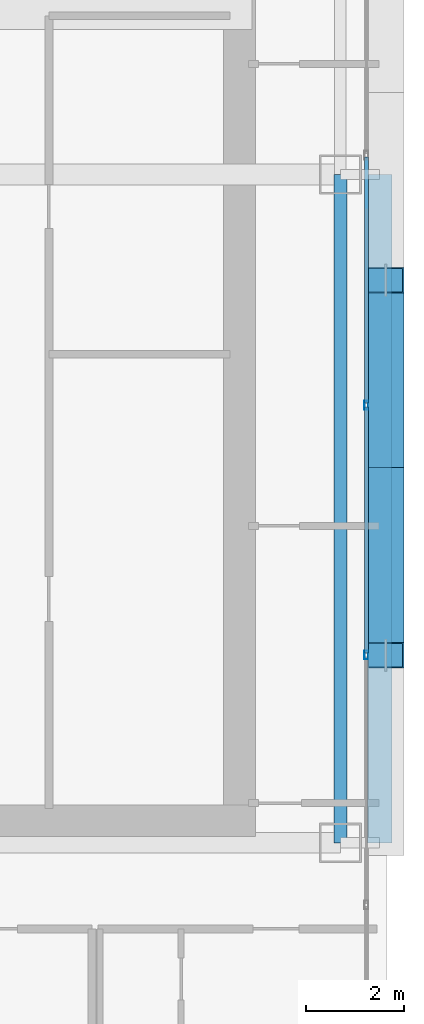
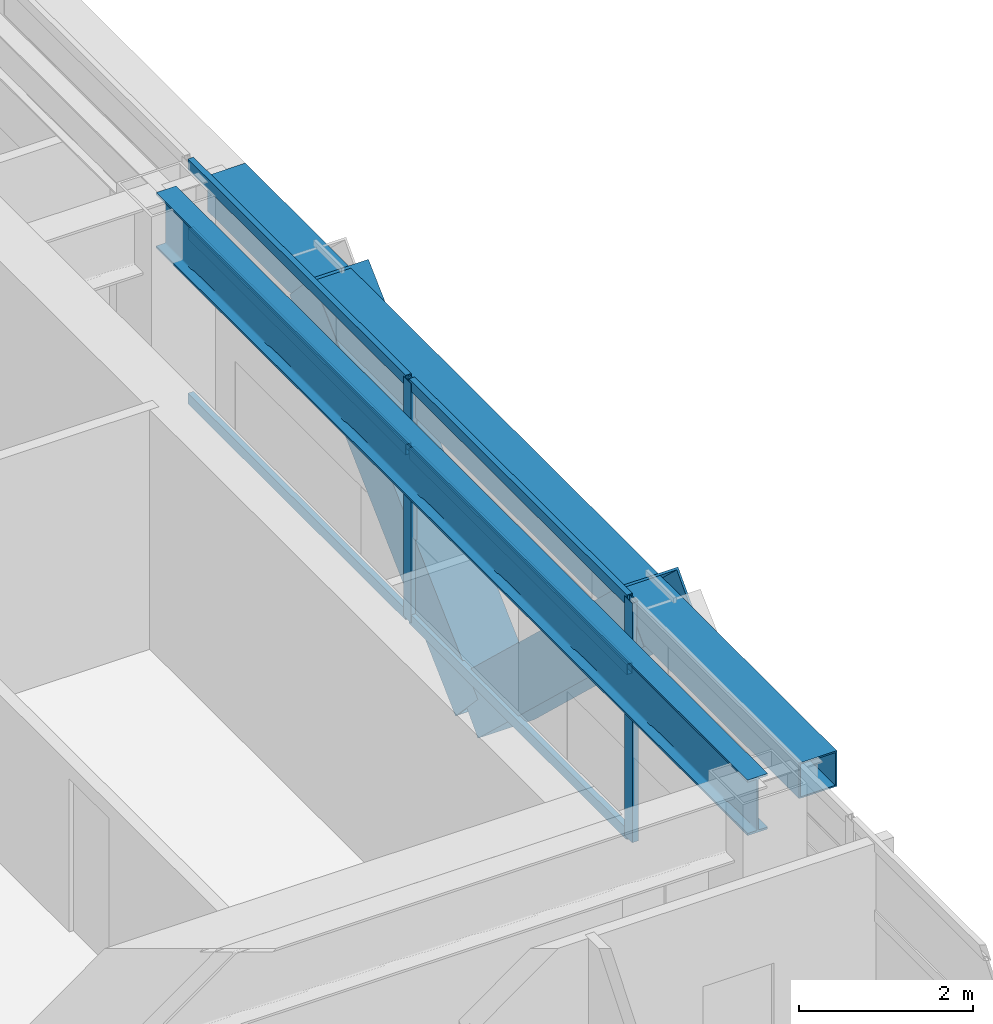
# One storey, part 16 of 39: 10 members, 2 beams, 1 element without a shape of its own.
"""IFC4 building model written with IfcOpenShell, lengths in metres."""

from ifc_helpers import new_model, si_unit, direction, frame, origin, origin_2d, place, context, subcontext, project, spatial, hollow_rectangle, i_section, extrude, source, transform, mapped, material, layer, layer_set, material_profile, profile_set, type_object, element, aggregate, save


model = new_model("IFC4")

# Units and contexts
model_context = context("Model", 3, precision=1e-05, world=origin(), true_north=direction((0.0, 1.0)))
body_context = subcontext(model_context, "Body", "Model", "MODEL_VIEW")
ifc_project = project(units=[si_unit("LENGTHUNIT", "METRE"), si_unit("AREAUNIT", "SQUARE_METRE"), si_unit("VOLUMEUNIT", "CUBIC_METRE"), si_unit("PLANEANGLEUNIT", "RADIAN"), si_unit("MASSUNIT", "GRAM", prefix="KILO")], contexts=[model_context])

# Site, building, storey
site_placement = place(None, origin())
site = spatial("IfcSite", under=ifc_project, at=site_placement, CompositionType="ELEMENT")
building_placement = place(site_placement, origin())
building = spatial("IfcBuilding", under=site, at=building_placement, Name="Ocotamira Hotel", CompositionType="ELEMENT")
storey_placement = place(building_placement, frame((0.0, 0.0, 126.0)))
storey = spatial("IfcBuildingStorey", under=building, at=storey_placement, Name="L31", CompositionType="ELEMENT", Elevation=126.0)

# Beams
ifc_material_1 = material(Name="Steel ASTM A992 Grade 50", Category="steel")
ifc_material_profile_1 = material_profile(ifc_material_1, i_section(OverallWidth=0.26611328125, OverallDepth=0.779052734375, WebThickness=0.0166015625, FlangeThickness=0.030029296875, FilletRadius=0.01806640625, at=origin_2d()), Name="W30X148")
ifc_profile_set_1 = profile_set([ifc_material_profile_1], Name="Steel ASTM A992 Grade 50")
beam_type_1 = type_object("IfcBeamType", Name="BM-GIRD-W30X148", PredefinedType="BEAM", material=ifc_profile_set_1)
shared_shape_1 = source(origin(), body_context, "Body", "SweptSolid", [
    extrude(i_section(OverallWidth=0.26611328125, OverallDepth=0.779052734375, WebThickness=0.0166015625, FlangeThickness=0.030029296875, FilletRadius=0.01806640625, at=origin_2d()), origin(), (0.0, 0.0, 1.0), 13.599853515625),
])
beam_1_placement = place(storey_placement, frame((55.050048828125, 14.550048828125, 2.970458984375), z_axis=(0.0, 1.0, 0.0), x_axis=(-1.0, 0.0, 0.0)))
element("IfcBeam", 1, at=beam_1_placement, inside=storey, type_object=beam_type_1, Name="L31 Beam X55.05 Y14.55-28.15", PredefinedType="BEAM", context=body_context, shape_type="MappedRepresentation", body=[
    mapped(shared_shape_1, transform((0.0, 0.0, 0.0), scale=1.0)),
])
ifc_material_2 = material(Name="Steel ASTM A500 Grade C", Category="steel")
ifc_material_profile_2 = material_profile(ifc_material_2, hollow_rectangle(XDim=0.5, YDim=0.5, WallThickness=0.02001953125, at=origin_2d()), Name="HSS500X500X20")
ifc_profile_set_2 = profile_set([ifc_material_profile_2], Name="Steel ASTM A500 Grade C")
beam_type_2 = type_object("IfcBeamType", Name="BM-SPAN-HSS500", PredefinedType="USERDEFINED", material=ifc_profile_set_2)
shared_shape_2 = source(origin(), body_context, "Body", "SweptSolid", [
    extrude(hollow_rectangle(XDim=0.5, YDim=0.5, WallThickness=0.02001953125, at=origin_2d()), origin(), (0.0, 0.0, 1.0), 13.599853515625),
])
beam_2_placement = place(storey_placement, frame((55.85009765625, 14.550048828125, 3.110107421875), z_axis=(0.0, 1.0, 0.0), x_axis=(-1.0, 0.0, 0.0)))
element("IfcBeam", 2, at=beam_2_placement, inside=storey, type_object=beam_type_2, Name="L31 Edge Spandrel E Y14.55-28.15", ObjectType="SPANDREL", PredefinedType="USERDEFINED", context=body_context, shape_type="MappedRepresentation", body=[
    mapped(shared_shape_2, transform((0.0, 0.0, 0.0), scale=1.0)),
])

# Members
ifc_material_3 = material(Name="Pale-metal coated steel ASTM A913 Grade 65", Category="steel")
ifc_material_profile_3 = material_profile(ifc_material_3, hollow_rectangle(XDim=0.75, YDim=0.75, WallThickness=0.028076171875, at=origin_2d()), Name="BOX750X750X28")
ifc_profile_set_3 = profile_set([ifc_material_profile_3], Name="Pale-metal coated steel ASTM A913 Grade 65")
member_type_1 = type_object("IfcMemberType", Name="MEM-EXO-BOX750", PredefinedType="BRACE", material=ifc_profile_set_3)
shared_shape_3 = source(origin(), body_context, "Body", "SweptSolid", [
    extrude(hollow_rectangle(XDim=0.75, YDim=0.75, WallThickness=0.028076171875, at=origin_2d()), origin(), (0.0, 0.0, 1.0), 5.24658203125),
])
for number, where, z_axis, x_axis, name in (
    (3, (55.969970703125, 22.183349609375, -0.489990234375), (0.0, -0.727442733726, 0.686168397078), (1.0, 0.0, 0.0), "L31 Exoskeleton Diagrid E0.2"),
    (4, (55.969970703125, 22.183349609375, -0.489990234375), (0.0, 0.727442733726, 0.686168397078), (-1.0, 0.0, 0.0), "L31 Exoskeleton Diagrid E1.1"),
):
    element("IfcMember", number, at=place(storey_placement, frame(where, z_axis=z_axis, x_axis=x_axis)), inside=storey, type_object=member_type_1, Name=name, PredefinedType="BRACE", context=body_context, shape_type="MappedRepresentation", body=[
        mapped(shared_shape_3, transform((0.0, 0.0, 0.0), scale=1.0)),
    ])

# Curtain wall, members
ifc_material_4 = material(Name="Anodised pale-metal aluminium and solar glass", Category="aluminium")
ifc_layer = layer(ifc_material_4, 0.179931640625)
ifc_layer_set = layer_set([ifc_layer], Name="Anodised pale-metal aluminium and solar glass")
curtain_wall_type = type_object("IfcCurtainWallType", Name="CW-SYS3-Z2", PredefinedType="NOTDEFINED", material=ifc_layer_set)
curtain_wall_placement = place(storey_placement, origin())
curtain_wall = element("IfcCurtainWall", 5, at=curtain_wall_placement, inside=storey, type_object=curtain_wall_type, Name="L31 Curtain Wall CW-3 CW-L31-E", PredefinedType="NOTDEFINED")
ifc_material_5 = material(Name="Anodised pale-metal aluminium 6063-T6", Category="aluminium")
ifc_material_profile_4 = material_profile(ifc_material_5, hollow_rectangle(XDim=0.074951171875, YDim=0.14990234375, WallThickness=0.006103515625, at=origin_2d()), Name="HSS150X75X6")
ifc_profile_set_4 = profile_set([ifc_material_profile_4], Name="Anodised pale-metal aluminium 6063-T6")
member_type_2 = type_object("IfcMemberType", Name="CWT-150X75", PredefinedType="USERDEFINED", material=ifc_profile_set_4)
shared_shape_4 = source(origin(), body_context, "Body", "SweptSolid", [
    extrude(hollow_rectangle(XDim=0.074951171875, YDim=0.14990234375, WallThickness=0.006103515625, at=origin_2d()), origin(), (0.0, 0.0, 1.0), 5.005859375),
])
member_1_placement = place(storey_placement, frame((55.580078125, 18.411376953125, 0.03759765625), z_axis=(0.0, 1.0, 0.0), x_axis=(-1.0, 0.0, 0.0)))
member_1 = element("IfcMember", 6, at=member_1_placement, type_object=member_type_2, Name="CW-3 transom 3.1", ObjectType="TRANSOM", PredefinedType="USERDEFINED", context=body_context, shape_type="MappedRepresentation", body=[
    mapped(shared_shape_4, transform((0.0, 0.0, 0.0), scale=1.0)),
])
member_2_placement = place(storey_placement, frame((55.580078125, 18.411376953125, 2.35009765625), z_axis=(0.0, 1.0, 0.0), x_axis=(-1.0, 0.0, 0.0)))
member_2 = element("IfcMember", 7, at=member_2_placement, type_object=member_type_2, Name="CW-3 transom 3.2", ObjectType="TRANSOM", PredefinedType="USERDEFINED", context=body_context, shape_type="MappedRepresentation", body=[
    mapped(shared_shape_4, transform((0.0, 0.0, 0.0), scale=1.0)),
])
member_3_placement = place(storey_placement, frame((55.580078125, 18.411376953125, 3.322509765625), z_axis=(0.0, 1.0, 0.0), x_axis=(-1.0, 0.0, 0.0)))
member_3 = element("IfcMember", 8, at=member_3_placement, type_object=member_type_2, Name="CW-3 transom 3.3", ObjectType="TRANSOM", PredefinedType="USERDEFINED", context=body_context, shape_type="MappedRepresentation", body=[
    mapped(shared_shape_4, transform((0.0, 0.0, 0.0), scale=1.0)),
])
member_4_placement = place(storey_placement, frame((55.580078125, 23.4970703125, 0.03759765625), z_axis=(0.0, 1.0, 0.0), x_axis=(-1.0, 0.0, 0.0)))
member_4 = element("IfcMember", 9, at=member_4_placement, type_object=member_type_2, Name="CW-3 transom 4.1", ObjectType="TRANSOM", PredefinedType="USERDEFINED", context=body_context, shape_type="MappedRepresentation", body=[
    mapped(shared_shape_4, transform((0.0, 0.0, 0.0), scale=1.0)),
])
member_5_placement = place(storey_placement, frame((55.580078125, 23.4970703125, 2.35009765625), z_axis=(0.0, 1.0, 0.0), x_axis=(-1.0, 0.0, 0.0)))
member_5 = element("IfcMember", 10, at=member_5_placement, type_object=member_type_2, Name="CW-3 transom 4.2", ObjectType="TRANSOM", PredefinedType="USERDEFINED", context=body_context, shape_type="MappedRepresentation", body=[
    mapped(shared_shape_4, transform((0.0, 0.0, 0.0), scale=1.0)),
])
member_6_placement = place(storey_placement, frame((55.580078125, 23.4970703125, 3.322509765625), z_axis=(0.0, 1.0, 0.0), x_axis=(-1.0, 0.0, 0.0)))
member_6 = element("IfcMember", 11, at=member_6_placement, type_object=member_type_2, Name="CW-3 transom 4.3", ObjectType="TRANSOM", PredefinedType="USERDEFINED", context=body_context, shape_type="MappedRepresentation", body=[
    mapped(shared_shape_4, transform((0.0, 0.0, 0.0), scale=1.0)),
])
ifc_material_profile_5 = material_profile(ifc_material_5, hollow_rectangle(XDim=0.080078125, YDim=0.179931640625, WallThickness=0.006103515625, at=origin_2d()), Name="HSS180X80X6")
ifc_profile_set_5 = profile_set([ifc_material_profile_5], Name="Anodised pale-metal aluminium 6063-T6")
member_type_3 = type_object("IfcMemberType", Name="CWM-180X75", PredefinedType="MULLION", material=ifc_profile_set_5)
shared_shape_5 = source(origin(), body_context, "Body", "SweptSolid", [
    extrude(hollow_rectangle(XDim=0.080078125, YDim=0.179931640625, WallThickness=0.006103515625, at=origin_2d()), origin(), (0.0, 0.0, 1.0), 3.360107421875),
])
member_7_placement = place(storey_placement, frame((55.580078125, 18.371337890625, 0.0), z_axis=(0.0, 0.0, 1.0), x_axis=(-1.0, 0.0, 0.0)))
member_7 = element("IfcMember", 12, at=member_7_placement, type_object=member_type_3, Name="CW-3 mullion 3", PredefinedType="MULLION", context=body_context, shape_type="MappedRepresentation", body=[
    mapped(shared_shape_5, transform((0.0, 0.0, 0.0), scale=1.0)),
])
member_8_placement = place(storey_placement, frame((55.580078125, 23.45703125, 0.0), z_axis=(0.0, 0.0, 1.0), x_axis=(-1.0, 0.0, 0.0)))
member_8 = element("IfcMember", 13, at=member_8_placement, type_object=member_type_3, Name="CW-3 mullion 4", PredefinedType="MULLION", context=body_context, shape_type="MappedRepresentation", body=[
    mapped(shared_shape_5, transform((0.0, 0.0, 0.0), scale=1.0)),
])
aggregate(curtain_wall, [member_7, member_8, member_1, member_2, member_3, member_4, member_5, member_6])

save(model, "model.ifc")
